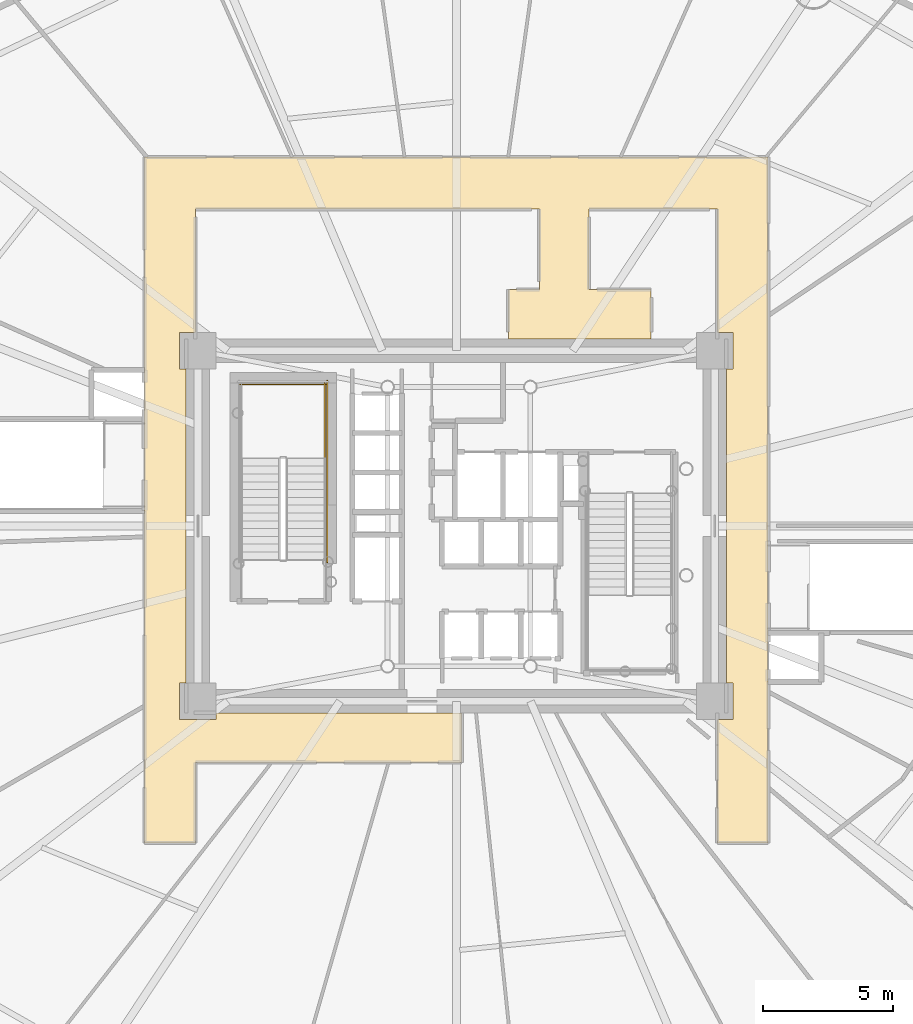
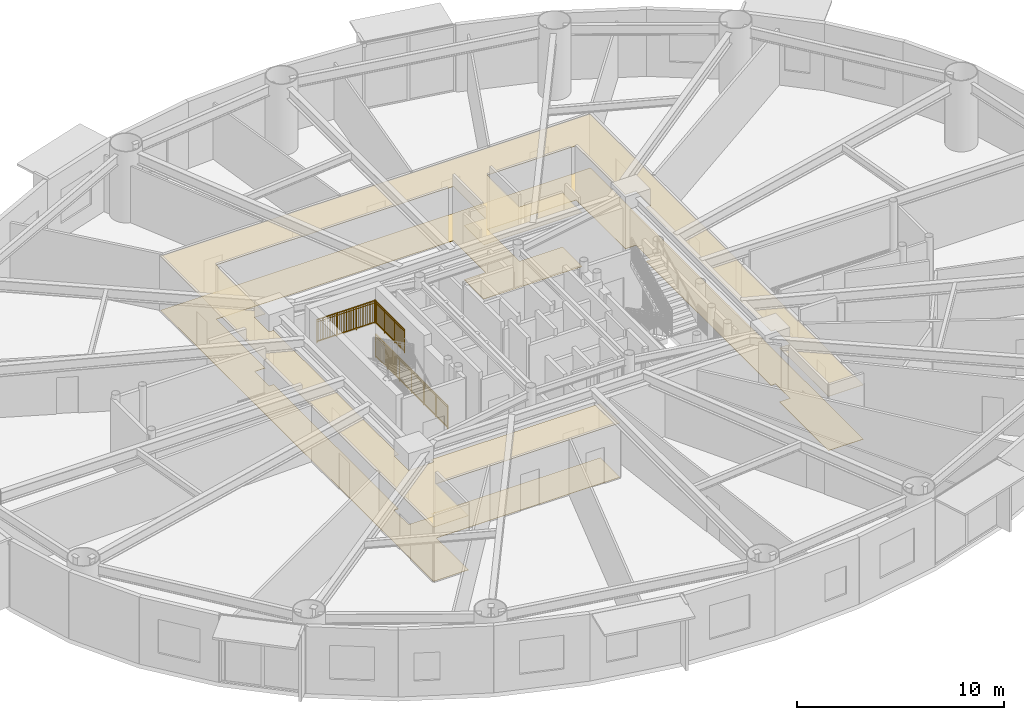
# One storey, part 24 of 28: 3 railings, 2 coverings.
"""IFC4 building model written with IfcOpenShell, lengths in metres."""

from ifc_helpers import new_model, si_unit, direction, frame, origin, origin_2d, place, context, subcontext, project, spatial, polyline, rectangle, outline, extrude, source, transform, mapped, material, layer, layer_set, type_object, element, save


model = new_model("IFC4")

# Units and contexts
model_context = context("Model", 3, precision=1e-05, world=origin(), true_north=direction((0.0, 1.0)))
body_context = subcontext(model_context, "Body", "Model", "MODEL_VIEW")
ifc_project = project(units=[si_unit("LENGTHUNIT", "METRE"), si_unit("AREAUNIT", "SQUARE_METRE"), si_unit("VOLUMEUNIT", "CUBIC_METRE"), si_unit("PLANEANGLEUNIT", "RADIAN"), si_unit("MASSUNIT", "GRAM", prefix="KILO")], contexts=[model_context])

# Site, building, storey
site_placement = place(None, origin())
site = spatial("IfcSite", under=ifc_project, at=site_placement, CompositionType="ELEMENT")
building_placement = place(site_placement, origin())
building = spatial("IfcBuilding", under=site, at=building_placement, Name="Linh Dai School and Residence Tower", CompositionType="ELEMENT")
storey_placement = place(building_placement, frame((0.0, 0.0, 57.60009765625)))
storey = spatial("IfcBuildingStorey", under=building, at=storey_placement, Name="L13", CompositionType="ELEMENT", Elevation=57.60009765625)

# Coverings
ifc_material_1 = material(Name="Mineral Fibre Acoustic Suspended Ceiling", Category="masonry")
ifc_layer_1 = layer(ifc_material_1, 0.02001953125)
ifc_layer_set_1 = layer_set([ifc_layer_1], Name="Mineral Fibre Acoustic Suspended Ceiling")
covering_type_1 = type_object("IfcCoveringType", Name="COV-CEIL-AC-20", PredefinedType="CEILING", material=ifc_layer_set_1)
covering_1_placement = place(storey_placement, frame((0.0, 0.0, 3.199951171875)))
element("IfcCovering", 1, at=covering_1_placement, inside=storey, type_object=covering_type_1, Name="L13 School Circulation Ring Corridor Suspended Ceiling", PredefinedType="CEILING", context=body_context, shape_type="SweptSolid", body=[
    extrude(outline(polyline([(24.0, 41.199951171875), (48.0, 41.199951171875), (48.0, 14.800048828125), (46.050048828125, 14.800048828125), (46.050048828125, 19.550048828125), (46.64990234375, 19.550048828125), (46.64990234375, 20.949951171875), (46.39990234375, 20.949951171875), (46.39990234375, 33.050048828125), (46.64990234375, 33.050048828125), (46.64990234375, 34.449951171875), (46.050048828125, 34.449951171875), (46.050048828125, 39.199951171875), (41.10009765625, 39.199951171875), (41.10009765625, 36.10009765625), (43.5, 36.10009765625), (43.5, 34.199951171875), (38.0, 34.199951171875), (38.0, 36.10009765625), (39.199951171875, 36.10009765625), (39.199951171875, 39.199951171875), (25.949951171875, 39.199951171875), (25.949951171875, 34.449951171875), (25.35009765625, 34.449951171875), (25.35009765625, 33.050048828125), (25.60009765625, 33.050048828125), (25.60009765625, 20.949951171875), (25.35009765625, 20.949951171875), (25.35009765625, 19.550048828125), (26.75, 19.550048828125), (26.75, 19.800048828125), (36.199951171875, 19.800048828125), (36.199951171875, 17.89990234375), (25.949951171875, 17.89990234375), (25.949951171875, 14.800048828125), (24.0, 14.800048828125), (24.0, 41.199951171875)])), origin(), (0.0, 0.0, 1.0), 0.02001953125),
])
ifc_material_2 = material(Name="Polished Terrazzo Floor Finish", Category="masonry")
ifc_layer_2 = layer(ifc_material_2, 0.02490234375)
ifc_layer_set_2 = layer_set([ifc_layer_2], Name="Polished Terrazzo Floor Finish")
covering_type_2 = type_object("IfcCoveringType", Name="COV-FLR-TRZ-25", PredefinedType="FLOORING", material=ifc_layer_set_2)
covering_2_placement = place(storey_placement, origin())
element("IfcCovering", 2, at=covering_2_placement, inside=storey, type_object=covering_type_2, Name="L13 School Circulation Ring Corridor Floor Finish", PredefinedType="FLOORING", context=body_context, shape_type="SweptSolid", body=[
    extrude(outline(polyline([(24.0, 41.199951171875), (48.0, 41.199951171875), (48.0, 14.800048828125), (46.050048828125, 14.800048828125), (46.050048828125, 19.550048828125), (46.64990234375, 19.550048828125), (46.64990234375, 20.949951171875), (46.39990234375, 20.949951171875), (46.39990234375, 33.050048828125), (46.64990234375, 33.050048828125), (46.64990234375, 34.449951171875), (46.050048828125, 34.449951171875), (46.050048828125, 39.199951171875), (41.10009765625, 39.199951171875), (41.10009765625, 36.10009765625), (43.5, 36.10009765625), (43.5, 34.199951171875), (38.0, 34.199951171875), (38.0, 36.10009765625), (39.199951171875, 36.10009765625), (39.199951171875, 39.199951171875), (25.949951171875, 39.199951171875), (25.949951171875, 34.449951171875), (25.35009765625, 34.449951171875), (25.35009765625, 33.050048828125), (25.60009765625, 33.050048828125), (25.60009765625, 20.949951171875), (25.35009765625, 20.949951171875), (25.35009765625, 19.550048828125), (26.75, 19.550048828125), (26.75, 19.800048828125), (36.199951171875, 19.800048828125), (36.199951171875, 17.89990234375), (25.949951171875, 17.89990234375), (25.949951171875, 14.800048828125), (24.0, 14.800048828125), (24.0, 41.199951171875)])), origin(), (0.0, 0.0, 1.0), 0.02001953125),
])

# Railings
ifc_material_3 = material(Name="Structural Steel S355JR", Category="steel")
railing_type = type_object("IfcRailingType", Name="RL-ST-GUARD-1400", PredefinedType="GUARDRAIL", material=ifc_material_3)
shared_shape_1 = source(origin(), body_context, "Body", "SweptSolid", [
    extrude(rectangle(XDim=0.048095703125, YDim=0.048095703125, at=origin_2d()), frame((0.0, 0.0, 1.3759765625), z_axis=(-1.0, 0.0, 0.0), x_axis=(0.0, -1.0, 0.0)), (0.0, 0.0, 1.0), 3.300048828125),
    extrude(rectangle(XDim=0.048095703125, YDim=0.048095703125, at=origin_2d()), frame((0.0, 0.0, 0.10009765625), z_axis=(-1.0, 0.0, 0.0), x_axis=(0.0, -1.0, 0.0)), (0.0, 0.0, 1.0), 3.300048828125),
    extrude(rectangle(XDim=0.030029296875, YDim=0.030029296875, at=origin_2d()), frame((0.0, 0.0, 1.239990234375), z_axis=(-1.0, 0.0, 0.0), x_axis=(0.0, -1.0, 0.0)), (0.0, 0.0, 1.0), 3.300048828125),
    extrude(rectangle(XDim=0.02001953125, YDim=0.02001953125, at=origin_2d()), frame((-0.09716796875, 0.0, 0.10009765625)), (0.0, 0.0, 1.0), 1.251708984375),
    extrude(rectangle(XDim=0.02001953125, YDim=0.02001953125, at=origin_2d()), frame((-0.194091796875, 0.0, 0.10009765625)), (0.0, 0.0, 1.0), 1.251708984375),
    extrude(rectangle(XDim=0.02001953125, YDim=0.02001953125, at=origin_2d()), frame((-0.291259765625, 0.0, 0.10009765625)), (0.0, 0.0, 1.0), 1.251708984375),
    extrude(rectangle(XDim=0.02001953125, YDim=0.02001953125, at=origin_2d()), frame((-0.38818359375, 0.0, 0.10009765625)), (0.0, 0.0, 1.0), 1.251708984375),
    extrude(rectangle(XDim=0.02001953125, YDim=0.02001953125, at=origin_2d()), frame((-0.4853515625, 0.0, 0.10009765625)), (0.0, 0.0, 1.0), 1.251708984375),
    extrude(rectangle(XDim=0.02001953125, YDim=0.02001953125, at=origin_2d()), frame((-0.582275390625, 0.0, 0.10009765625)), (0.0, 0.0, 1.0), 1.251708984375),
    extrude(rectangle(XDim=0.02001953125, YDim=0.02001953125, at=origin_2d()), frame((-0.679443359375, 0.0, 0.10009765625)), (0.0, 0.0, 1.0), 1.251708984375),
    extrude(rectangle(XDim=0.02001953125, YDim=0.02001953125, at=origin_2d()), frame((-0.7763671875, 0.0, 0.10009765625)), (0.0, 0.0, 1.0), 1.251708984375),
    extrude(rectangle(XDim=0.02001953125, YDim=0.02001953125, at=origin_2d()), frame((-0.87353515625, 0.0, 0.10009765625)), (0.0, 0.0, 1.0), 1.251708984375),
    extrude(rectangle(XDim=0.02001953125, YDim=0.02001953125, at=origin_2d()), frame((-0.970703125, 0.0, 0.10009765625)), (0.0, 0.0, 1.0), 1.251708984375),
    extrude(rectangle(XDim=0.02001953125, YDim=0.02001953125, at=origin_2d()), frame((-1.164794921875, 0.0, 0.10009765625)), (0.0, 0.0, 1.0), 1.251708984375),
    extrude(rectangle(XDim=0.02001953125, YDim=0.02001953125, at=origin_2d()), frame((-1.26171875, 0.0, 0.10009765625)), (0.0, 0.0, 1.0), 1.251708984375),
    extrude(rectangle(XDim=0.02001953125, YDim=0.02001953125, at=origin_2d()), frame((-1.35888671875, 0.0, 0.10009765625)), (0.0, 0.0, 1.0), 1.251708984375),
    extrude(rectangle(XDim=0.02001953125, YDim=0.02001953125, at=origin_2d()), frame((-1.455810546875, 0.0, 0.10009765625)), (0.0, 0.0, 1.0), 1.251708984375),
    extrude(rectangle(XDim=0.02001953125, YDim=0.02001953125, at=origin_2d()), frame((-1.552978515625, 0.0, 0.10009765625)), (0.0, 0.0, 1.0), 1.251708984375),
    extrude(rectangle(XDim=0.02001953125, YDim=0.02001953125, at=origin_2d()), frame((-1.64990234375, 0.0, 0.10009765625)), (0.0, 0.0, 1.0), 1.251708984375),
    extrude(rectangle(XDim=0.02001953125, YDim=0.02001953125, at=origin_2d()), frame((-1.7470703125, 0.0, 0.10009765625)), (0.0, 0.0, 1.0), 1.251708984375),
    extrude(rectangle(XDim=0.02001953125, YDim=0.02001953125, at=origin_2d()), frame((-1.84423828125, 0.0, 0.10009765625)), (0.0, 0.0, 1.0), 1.251708984375),
    extrude(rectangle(XDim=0.02001953125, YDim=0.02001953125, at=origin_2d()), frame((-1.941162109375, 0.0, 0.10009765625)), (0.0, 0.0, 1.0), 1.251708984375),
    extrude(rectangle(XDim=0.02001953125, YDim=0.02001953125, at=origin_2d()), frame((-2.038330078125, 0.0, 0.10009765625)), (0.0, 0.0, 1.0), 1.251708984375),
    extrude(rectangle(XDim=0.02001953125, YDim=0.02001953125, at=origin_2d()), frame((-2.13525390625, 0.0, 0.10009765625)), (0.0, 0.0, 1.0), 1.251708984375),
    extrude(rectangle(XDim=0.02001953125, YDim=0.02001953125, at=origin_2d()), frame((-2.329345703125, 0.0, 0.10009765625)), (0.0, 0.0, 1.0), 1.251708984375),
    extrude(rectangle(XDim=0.02001953125, YDim=0.02001953125, at=origin_2d()), frame((-2.426513671875, 0.0, 0.10009765625)), (0.0, 0.0, 1.0), 1.251708984375),
    extrude(rectangle(XDim=0.02001953125, YDim=0.02001953125, at=origin_2d()), frame((-2.523681640625, 0.0, 0.10009765625)), (0.0, 0.0, 1.0), 1.251708984375),
    extrude(rectangle(XDim=0.02001953125, YDim=0.02001953125, at=origin_2d()), frame((-2.62060546875, 0.0, 0.10009765625)), (0.0, 0.0, 1.0), 1.251708984375),
    extrude(rectangle(XDim=0.02001953125, YDim=0.02001953125, at=origin_2d()), frame((-2.7177734375, 0.0, 0.10009765625)), (0.0, 0.0, 1.0), 1.251708984375),
    extrude(rectangle(XDim=0.02001953125, YDim=0.02001953125, at=origin_2d()), frame((-2.814697265625, 0.0, 0.10009765625)), (0.0, 0.0, 1.0), 1.251708984375),
    extrude(rectangle(XDim=0.02001953125, YDim=0.02001953125, at=origin_2d()), frame((-2.911865234375, 0.0, 0.10009765625)), (0.0, 0.0, 1.0), 1.251708984375),
    extrude(rectangle(XDim=0.02001953125, YDim=0.02001953125, at=origin_2d()), frame((-3.0087890625, 0.0, 0.10009765625)), (0.0, 0.0, 1.0), 1.251708984375),
    extrude(rectangle(XDim=0.02001953125, YDim=0.02001953125, at=origin_2d()), frame((-3.10595703125, 0.0, 0.10009765625)), (0.0, 0.0, 1.0), 1.251708984375),
    extrude(rectangle(XDim=0.02001953125, YDim=0.02001953125, at=origin_2d()), frame((-3.202880859375, 0.0, 0.10009765625)), (0.0, 0.0, 1.0), 1.251708984375),
    extrude(rectangle(XDim=0.0419921875, YDim=0.0419921875, at=origin_2d()), origin(), (0.0, 0.0, 1.0), 1.3759765625),
    extrude(rectangle(XDim=0.0419921875, YDim=0.0419921875, at=origin_2d()), frame((-1.10009765625, 0.0, 0.0)), (0.0, 0.0, 1.0), 1.3759765625),
    extrude(rectangle(XDim=0.0419921875, YDim=0.0419921875, at=origin_2d()), frame((-2.199951171875, 0.0, 0.0)), (0.0, 0.0, 1.0), 1.3759765625),
    extrude(rectangle(XDim=0.0419921875, YDim=0.0419921875, at=origin_2d()), frame((-3.300048828125, 0.0, 0.0)), (0.0, 0.0, 1.0), 1.3759765625),
])
railing_1_placement = place(storey_placement, frame((30.97998046875, 32.449951171875, 2.099853515625)))
element("IfcRailing", 3, at=railing_1_placement, inside=storey, type_object=railing_type, Name="L13 ST1 stair guard 5", PredefinedType="GUARDRAIL", context=body_context, shape_type="MappedRepresentation", body=[
    mapped(shared_shape_1, transform((0.0, 0.0, 0.0), x_axis=(1.0, 0.0, 0.0), y_axis=(0.0, 1.0, 0.0), z_axis=(0.0, 0.0, 1.0), scale=1.0)),
])
shared_shape_2 = source(origin(), body_context, "Body", "SweptSolid", [
    extrude(rectangle(XDim=0.048095703125, YDim=0.048095703125, at=origin_2d()), frame((0.0, 0.0, 1.3759765625), z_axis=(0.0, 1.0, 0.0), x_axis=(-1.0, 0.0, 0.0)), (0.0, 0.0, 1.0), 7.0),
    extrude(rectangle(XDim=0.048095703125, YDim=0.048095703125, at=origin_2d()), frame((0.0, 0.0, 0.10009765625), z_axis=(0.0, 1.0, 0.0), x_axis=(-1.0, 0.0, 0.0)), (0.0, 0.0, 1.0), 7.0),
    extrude(rectangle(XDim=0.030029296875, YDim=0.030029296875, at=origin_2d()), frame((0.0, 0.0, 1.239990234375), z_axis=(0.0, 1.0, 0.0), x_axis=(-1.0, 0.0, 0.0)), (0.0, 0.0, 1.0), 7.0),
    extrude(rectangle(XDim=0.02001953125, YDim=0.02001953125, at=origin_2d()), frame((0.0, 0.09716796875, 0.10009765625)), (0.0, 0.0, 1.0), 1.251708984375),
    extrude(rectangle(XDim=0.02001953125, YDim=0.02001953125, at=origin_2d()), frame((0.0, 0.1943359375, 0.10009765625)), (0.0, 0.0, 1.0), 1.251708984375),
    extrude(rectangle(XDim=0.02001953125, YDim=0.02001953125, at=origin_2d()), frame((0.0, 0.291748046875, 0.10009765625)), (0.0, 0.0, 1.0), 1.251708984375),
    extrude(rectangle(XDim=0.02001953125, YDim=0.02001953125, at=origin_2d()), frame((0.0, 0.388916015625, 0.10009765625)), (0.0, 0.0, 1.0), 1.251708984375),
    extrude(rectangle(XDim=0.02001953125, YDim=0.02001953125, at=origin_2d()), frame((0.0, 0.486083984375, 0.10009765625)), (0.0, 0.0, 1.0), 1.251708984375),
    extrude(rectangle(XDim=0.02001953125, YDim=0.02001953125, at=origin_2d()), frame((0.0, 0.583251953125, 0.10009765625)), (0.0, 0.0, 1.0), 1.251708984375),
    extrude(rectangle(XDim=0.02001953125, YDim=0.02001953125, at=origin_2d()), frame((0.0, 0.6806640625, 0.10009765625)), (0.0, 0.0, 1.0), 1.251708984375),
    extrude(rectangle(XDim=0.02001953125, YDim=0.02001953125, at=origin_2d()), frame((0.0, 0.77783203125, 0.10009765625)), (0.0, 0.0, 1.0), 1.251708984375),
    extrude(rectangle(XDim=0.02001953125, YDim=0.02001953125, at=origin_2d()), frame((0.0, 0.875, 0.10009765625)), (0.0, 0.0, 1.0), 1.251708984375),
    extrude(rectangle(XDim=0.02001953125, YDim=0.02001953125, at=origin_2d()), frame((0.0, 0.97216796875, 0.10009765625)), (0.0, 0.0, 1.0), 1.251708984375),
    extrude(rectangle(XDim=0.02001953125, YDim=0.02001953125, at=origin_2d()), frame((0.0, 1.0693359375, 0.10009765625)), (0.0, 0.0, 1.0), 1.251708984375),
    extrude(rectangle(XDim=0.02001953125, YDim=0.02001953125, at=origin_2d()), frame((0.0, 1.263916015625, 0.10009765625)), (0.0, 0.0, 1.0), 1.251708984375),
    extrude(rectangle(XDim=0.02001953125, YDim=0.02001953125, at=origin_2d()), frame((0.0, 1.361083984375, 0.10009765625)), (0.0, 0.0, 1.0), 1.251708984375),
    extrude(rectangle(XDim=0.02001953125, YDim=0.02001953125, at=origin_2d()), frame((0.0, 1.458251953125, 0.10009765625)), (0.0, 0.0, 1.0), 1.251708984375),
    extrude(rectangle(XDim=0.02001953125, YDim=0.02001953125, at=origin_2d()), frame((0.0, 1.5556640625, 0.10009765625)), (0.0, 0.0, 1.0), 1.251708984375),
    extrude(rectangle(XDim=0.02001953125, YDim=0.02001953125, at=origin_2d()), frame((0.0, 1.65283203125, 0.10009765625)), (0.0, 0.0, 1.0), 1.251708984375),
    extrude(rectangle(XDim=0.02001953125, YDim=0.02001953125, at=origin_2d()), frame((0.0, 1.75, 0.10009765625)), (0.0, 0.0, 1.0), 1.251708984375),
    extrude(rectangle(XDim=0.02001953125, YDim=0.02001953125, at=origin_2d()), frame((0.0, 1.84716796875, 0.10009765625)), (0.0, 0.0, 1.0), 1.251708984375),
    extrude(rectangle(XDim=0.02001953125, YDim=0.02001953125, at=origin_2d()), frame((0.0, 1.9443359375, 0.10009765625)), (0.0, 0.0, 1.0), 1.251708984375),
    extrude(rectangle(XDim=0.02001953125, YDim=0.02001953125, at=origin_2d()), frame((0.0, 2.041748046875, 0.10009765625)), (0.0, 0.0, 1.0), 1.251708984375),
    extrude(rectangle(XDim=0.02001953125, YDim=0.02001953125, at=origin_2d()), frame((0.0, 2.138916015625, 0.10009765625)), (0.0, 0.0, 1.0), 1.251708984375),
    extrude(rectangle(XDim=0.02001953125, YDim=0.02001953125, at=origin_2d()), frame((0.0, 2.236083984375, 0.10009765625)), (0.0, 0.0, 1.0), 1.251708984375),
    extrude(rectangle(XDim=0.02001953125, YDim=0.02001953125, at=origin_2d()), frame((0.0, 2.4306640625, 0.10009765625)), (0.0, 0.0, 1.0), 1.251708984375),
    extrude(rectangle(XDim=0.02001953125, YDim=0.02001953125, at=origin_2d()), frame((0.0, 2.52783203125, 0.10009765625)), (0.0, 0.0, 1.0), 1.251708984375),
    extrude(rectangle(XDim=0.02001953125, YDim=0.02001953125, at=origin_2d()), frame((0.0, 2.625, 0.10009765625)), (0.0, 0.0, 1.0), 1.251708984375),
    extrude(rectangle(XDim=0.02001953125, YDim=0.02001953125, at=origin_2d()), frame((0.0, 2.72216796875, 0.10009765625)), (0.0, 0.0, 1.0), 1.251708984375),
    extrude(rectangle(XDim=0.02001953125, YDim=0.02001953125, at=origin_2d()), frame((0.0, 2.8193359375, 0.10009765625)), (0.0, 0.0, 1.0), 1.251708984375),
    extrude(rectangle(XDim=0.02001953125, YDim=0.02001953125, at=origin_2d()), frame((0.0, 2.916748046875, 0.10009765625)), (0.0, 0.0, 1.0), 1.251708984375),
    extrude(rectangle(XDim=0.02001953125, YDim=0.02001953125, at=origin_2d()), frame((0.0, 3.013916015625, 0.10009765625)), (0.0, 0.0, 1.0), 1.251708984375),
    extrude(rectangle(XDim=0.02001953125, YDim=0.02001953125, at=origin_2d()), frame((0.0, 3.111083984375, 0.10009765625)), (0.0, 0.0, 1.0), 1.251708984375),
    extrude(rectangle(XDim=0.02001953125, YDim=0.02001953125, at=origin_2d()), frame((0.0, 3.208251953125, 0.10009765625)), (0.0, 0.0, 1.0), 1.251708984375),
    extrude(rectangle(XDim=0.02001953125, YDim=0.02001953125, at=origin_2d()), frame((0.0, 3.3056640625, 0.10009765625)), (0.0, 0.0, 1.0), 1.251708984375),
    extrude(rectangle(XDim=0.02001953125, YDim=0.02001953125, at=origin_2d()), frame((0.0, 3.40283203125, 0.10009765625)), (0.0, 0.0, 1.0), 1.251708984375),
    extrude(rectangle(XDim=0.02001953125, YDim=0.02001953125, at=origin_2d()), frame((0.0, 3.59716796875, 0.10009765625)), (0.0, 0.0, 1.0), 1.251708984375),
    extrude(rectangle(XDim=0.02001953125, YDim=0.02001953125, at=origin_2d()), frame((0.0, 3.6943359375, 0.10009765625)), (0.0, 0.0, 1.0), 1.251708984375),
    extrude(rectangle(XDim=0.02001953125, YDim=0.02001953125, at=origin_2d()), frame((0.0, 3.791748046875, 0.10009765625)), (0.0, 0.0, 1.0), 1.251708984375),
    extrude(rectangle(XDim=0.02001953125, YDim=0.02001953125, at=origin_2d()), frame((0.0, 3.888916015625, 0.10009765625)), (0.0, 0.0, 1.0), 1.251708984375),
    extrude(rectangle(XDim=0.02001953125, YDim=0.02001953125, at=origin_2d()), frame((0.0, 3.986083984375, 0.10009765625)), (0.0, 0.0, 1.0), 1.251708984375),
    extrude(rectangle(XDim=0.02001953125, YDim=0.02001953125, at=origin_2d()), frame((0.0, 4.083251953125, 0.10009765625)), (0.0, 0.0, 1.0), 1.251708984375),
    extrude(rectangle(XDim=0.02001953125, YDim=0.02001953125, at=origin_2d()), frame((0.0, 4.1806640625, 0.10009765625)), (0.0, 0.0, 1.0), 1.251708984375),
    extrude(rectangle(XDim=0.02001953125, YDim=0.02001953125, at=origin_2d()), frame((0.0, 4.27783203125, 0.10009765625)), (0.0, 0.0, 1.0), 1.251708984375),
    extrude(rectangle(XDim=0.02001953125, YDim=0.02001953125, at=origin_2d()), frame((0.0, 4.375, 0.10009765625)), (0.0, 0.0, 1.0), 1.251708984375),
    extrude(rectangle(XDim=0.02001953125, YDim=0.02001953125, at=origin_2d()), frame((0.0, 4.47216796875, 0.10009765625)), (0.0, 0.0, 1.0), 1.251708984375),
    extrude(rectangle(XDim=0.02001953125, YDim=0.02001953125, at=origin_2d()), frame((0.0, 4.5693359375, 0.10009765625)), (0.0, 0.0, 1.0), 1.251708984375),
    extrude(rectangle(XDim=0.02001953125, YDim=0.02001953125, at=origin_2d()), frame((0.0, 4.763916015625, 0.10009765625)), (0.0, 0.0, 1.0), 1.251708984375),
    extrude(rectangle(XDim=0.02001953125, YDim=0.02001953125, at=origin_2d()), frame((0.0, 4.861083984375, 0.10009765625)), (0.0, 0.0, 1.0), 1.251708984375),
    extrude(rectangle(XDim=0.02001953125, YDim=0.02001953125, at=origin_2d()), frame((0.0, 4.958251953125, 0.10009765625)), (0.0, 0.0, 1.0), 1.251708984375),
    extrude(rectangle(XDim=0.02001953125, YDim=0.02001953125, at=origin_2d()), frame((0.0, 5.0556640625, 0.10009765625)), (0.0, 0.0, 1.0), 1.251708984375),
    extrude(rectangle(XDim=0.02001953125, YDim=0.02001953125, at=origin_2d()), frame((0.0, 5.15283203125, 0.10009765625)), (0.0, 0.0, 1.0), 1.251708984375),
    extrude(rectangle(XDim=0.02001953125, YDim=0.02001953125, at=origin_2d()), frame((0.0, 5.25, 0.10009765625)), (0.0, 0.0, 1.0), 1.251708984375),
    extrude(rectangle(XDim=0.02001953125, YDim=0.02001953125, at=origin_2d()), frame((0.0, 5.34716796875, 0.10009765625)), (0.0, 0.0, 1.0), 1.251708984375),
    extrude(rectangle(XDim=0.02001953125, YDim=0.02001953125, at=origin_2d()), frame((0.0, 5.4443359375, 0.10009765625)), (0.0, 0.0, 1.0), 1.251708984375),
    extrude(rectangle(XDim=0.02001953125, YDim=0.02001953125, at=origin_2d()), frame((0.0, 5.541748046875, 0.10009765625)), (0.0, 0.0, 1.0), 1.251708984375),
    extrude(rectangle(XDim=0.02001953125, YDim=0.02001953125, at=origin_2d()), frame((0.0, 5.638916015625, 0.10009765625)), (0.0, 0.0, 1.0), 1.251708984375),
    extrude(rectangle(XDim=0.02001953125, YDim=0.02001953125, at=origin_2d()), frame((0.0, 5.736083984375, 0.10009765625)), (0.0, 0.0, 1.0), 1.251708984375),
    extrude(rectangle(XDim=0.02001953125, YDim=0.02001953125, at=origin_2d()), frame((0.0, 5.9306640625, 0.10009765625)), (0.0, 0.0, 1.0), 1.251708984375),
    extrude(rectangle(XDim=0.02001953125, YDim=0.02001953125, at=origin_2d()), frame((0.0, 6.02783203125, 0.10009765625)), (0.0, 0.0, 1.0), 1.251708984375),
    extrude(rectangle(XDim=0.02001953125, YDim=0.02001953125, at=origin_2d()), frame((0.0, 6.125, 0.10009765625)), (0.0, 0.0, 1.0), 1.251708984375),
    extrude(rectangle(XDim=0.02001953125, YDim=0.02001953125, at=origin_2d()), frame((0.0, 6.22216796875, 0.10009765625)), (0.0, 0.0, 1.0), 1.251708984375),
    extrude(rectangle(XDim=0.02001953125, YDim=0.02001953125, at=origin_2d()), frame((0.0, 6.3193359375, 0.10009765625)), (0.0, 0.0, 1.0), 1.251708984375),
    extrude(rectangle(XDim=0.02001953125, YDim=0.02001953125, at=origin_2d()), frame((0.0, 6.416748046875, 0.10009765625)), (0.0, 0.0, 1.0), 1.251708984375),
    extrude(rectangle(XDim=0.02001953125, YDim=0.02001953125, at=origin_2d()), frame((0.0, 6.513916015625, 0.10009765625)), (0.0, 0.0, 1.0), 1.251708984375),
    extrude(rectangle(XDim=0.02001953125, YDim=0.02001953125, at=origin_2d()), frame((0.0, 6.611083984375, 0.10009765625)), (0.0, 0.0, 1.0), 1.251708984375),
    extrude(rectangle(XDim=0.02001953125, YDim=0.02001953125, at=origin_2d()), frame((0.0, 6.708251953125, 0.10009765625)), (0.0, 0.0, 1.0), 1.251708984375),
    extrude(rectangle(XDim=0.02001953125, YDim=0.02001953125, at=origin_2d()), frame((0.0, 6.8056640625, 0.10009765625)), (0.0, 0.0, 1.0), 1.251708984375),
    extrude(rectangle(XDim=0.02001953125, YDim=0.02001953125, at=origin_2d()), frame((0.0, 6.90283203125, 0.10009765625)), (0.0, 0.0, 1.0), 1.251708984375),
    extrude(rectangle(XDim=0.0419921875, YDim=0.0419921875, at=origin_2d()), origin(), (0.0, 0.0, 1.0), 1.3759765625),
    extrude(rectangle(XDim=0.0419921875, YDim=0.0419921875, at=origin_2d()), frame((0.0, 1.166748046875, 0.0)), (0.0, 0.0, 1.0), 1.3759765625),
    extrude(rectangle(XDim=0.0419921875, YDim=0.0419921875, at=origin_2d()), frame((0.0, 2.333251953125, 0.0)), (0.0, 0.0, 1.0), 1.3759765625),
    extrude(rectangle(XDim=0.0419921875, YDim=0.0419921875, at=origin_2d()), frame((0.0, 3.5, 0.0)), (0.0, 0.0, 1.0), 1.3759765625),
    extrude(rectangle(XDim=0.0419921875, YDim=0.0419921875, at=origin_2d()), frame((0.0, 4.666748046875, 0.0)), (0.0, 0.0, 1.0), 1.3759765625),
    extrude(rectangle(XDim=0.0419921875, YDim=0.0419921875, at=origin_2d()), frame((0.0, 5.833251953125, 0.0)), (0.0, 0.0, 1.0), 1.3759765625),
    extrude(rectangle(XDim=0.0419921875, YDim=0.0419921875, at=origin_2d()), frame((0.0, 7.0, 0.0)), (0.0, 0.0, 1.0), 1.3759765625),
])
railing_2_placement = place(storey_placement, frame((31.030029296875, 25.60009765625, 0.0)))
element("IfcRailing", 4, at=railing_2_placement, inside=storey, type_object=railing_type, Name="L13 ST1 stair guard 10", PredefinedType="GUARDRAIL", context=body_context, shape_type="MappedRepresentation", body=[
    mapped(shared_shape_2, transform((0.0, 0.0, 0.0), x_axis=(1.0, 0.0, 0.0), y_axis=(0.0, 1.0, 0.0), z_axis=(0.0, 0.0, 1.0), scale=1.0)),
])
shared_shape_3 = source(origin(), body_context, "Body", "SweptSolid", [
    extrude(rectangle(XDim=0.048095703125, YDim=0.048095703125, at=origin_2d()), frame((0.0, 0.0, 1.3759765625), z_axis=(0.0, 1.0, 0.0), x_axis=(-1.0, 0.0, 0.0)), (0.0, 0.0, 1.0), 2.89990234375),
    extrude(rectangle(XDim=0.048095703125, YDim=0.048095703125, at=origin_2d()), frame((0.0, 0.0, 0.10009765625), z_axis=(0.0, 1.0, 0.0), x_axis=(-1.0, 0.0, 0.0)), (0.0, 0.0, 1.0), 2.89990234375),
    extrude(rectangle(XDim=0.030029296875, YDim=0.030029296875, at=origin_2d()), frame((0.0, 0.0, 1.239990234375), z_axis=(0.0, 1.0, 0.0), x_axis=(-1.0, 0.0, 0.0)), (0.0, 0.0, 1.0), 2.89990234375),
    extrude(rectangle(XDim=0.02001953125, YDim=0.02001953125, at=origin_2d()), frame((0.0, 0.0966796875, 0.10009765625)), (0.0, 0.0, 1.0), 1.251708984375),
    extrude(rectangle(XDim=0.02001953125, YDim=0.02001953125, at=origin_2d()), frame((0.0, 0.193359375, 0.10009765625)), (0.0, 0.0, 1.0), 1.251708984375),
    extrude(rectangle(XDim=0.02001953125, YDim=0.02001953125, at=origin_2d()), frame((0.0, 0.2900390625, 0.10009765625)), (0.0, 0.0, 1.0), 1.251708984375),
    extrude(rectangle(XDim=0.02001953125, YDim=0.02001953125, at=origin_2d()), frame((0.0, 0.38671875, 0.10009765625)), (0.0, 0.0, 1.0), 1.251708984375),
    extrude(rectangle(XDim=0.02001953125, YDim=0.02001953125, at=origin_2d()), frame((0.0, 0.4833984375, 0.10009765625)), (0.0, 0.0, 1.0), 1.251708984375),
    extrude(rectangle(XDim=0.02001953125, YDim=0.02001953125, at=origin_2d()), frame((0.0, 0.580078125, 0.10009765625)), (0.0, 0.0, 1.0), 1.251708984375),
    extrude(rectangle(XDim=0.02001953125, YDim=0.02001953125, at=origin_2d()), frame((0.0, 0.6767578125, 0.10009765625)), (0.0, 0.0, 1.0), 1.251708984375),
    extrude(rectangle(XDim=0.02001953125, YDim=0.02001953125, at=origin_2d()), frame((0.0, 0.773193359375, 0.10009765625)), (0.0, 0.0, 1.0), 1.251708984375),
    extrude(rectangle(XDim=0.02001953125, YDim=0.02001953125, at=origin_2d()), frame((0.0, 0.869873046875, 0.10009765625)), (0.0, 0.0, 1.0), 1.251708984375),
    extrude(rectangle(XDim=0.02001953125, YDim=0.02001953125, at=origin_2d()), frame((0.0, 1.063232421875, 0.10009765625)), (0.0, 0.0, 1.0), 1.251708984375),
    extrude(rectangle(XDim=0.02001953125, YDim=0.02001953125, at=origin_2d()), frame((0.0, 1.159912109375, 0.10009765625)), (0.0, 0.0, 1.0), 1.251708984375),
    extrude(rectangle(XDim=0.02001953125, YDim=0.02001953125, at=origin_2d()), frame((0.0, 1.256591796875, 0.10009765625)), (0.0, 0.0, 1.0), 1.251708984375),
    extrude(rectangle(XDim=0.02001953125, YDim=0.02001953125, at=origin_2d()), frame((0.0, 1.353271484375, 0.10009765625)), (0.0, 0.0, 1.0), 1.251708984375),
    extrude(rectangle(XDim=0.02001953125, YDim=0.02001953125, at=origin_2d()), frame((0.0, 1.449951171875, 0.10009765625)), (0.0, 0.0, 1.0), 1.251708984375),
    extrude(rectangle(XDim=0.02001953125, YDim=0.02001953125, at=origin_2d()), frame((0.0, 1.546630859375, 0.10009765625)), (0.0, 0.0, 1.0), 1.251708984375),
    extrude(rectangle(XDim=0.02001953125, YDim=0.02001953125, at=origin_2d()), frame((0.0, 1.643310546875, 0.10009765625)), (0.0, 0.0, 1.0), 1.251708984375),
    extrude(rectangle(XDim=0.02001953125, YDim=0.02001953125, at=origin_2d()), frame((0.0, 1.739990234375, 0.10009765625)), (0.0, 0.0, 1.0), 1.251708984375),
    extrude(rectangle(XDim=0.02001953125, YDim=0.02001953125, at=origin_2d()), frame((0.0, 1.836669921875, 0.10009765625)), (0.0, 0.0, 1.0), 1.251708984375),
    extrude(rectangle(XDim=0.02001953125, YDim=0.02001953125, at=origin_2d()), frame((0.0, 2.030029296875, 0.10009765625)), (0.0, 0.0, 1.0), 1.251708984375),
    extrude(rectangle(XDim=0.02001953125, YDim=0.02001953125, at=origin_2d()), frame((0.0, 2.126708984375, 0.10009765625)), (0.0, 0.0, 1.0), 1.251708984375),
    extrude(rectangle(XDim=0.02001953125, YDim=0.02001953125, at=origin_2d()), frame((0.0, 2.22314453125, 0.10009765625)), (0.0, 0.0, 1.0), 1.251708984375),
    extrude(rectangle(XDim=0.02001953125, YDim=0.02001953125, at=origin_2d()), frame((0.0, 2.31982421875, 0.10009765625)), (0.0, 0.0, 1.0), 1.251708984375),
    extrude(rectangle(XDim=0.02001953125, YDim=0.02001953125, at=origin_2d()), frame((0.0, 2.41650390625, 0.10009765625)), (0.0, 0.0, 1.0), 1.251708984375),
    extrude(rectangle(XDim=0.02001953125, YDim=0.02001953125, at=origin_2d()), frame((0.0, 2.51318359375, 0.10009765625)), (0.0, 0.0, 1.0), 1.251708984375),
    extrude(rectangle(XDim=0.02001953125, YDim=0.02001953125, at=origin_2d()), frame((0.0, 2.60986328125, 0.10009765625)), (0.0, 0.0, 1.0), 1.251708984375),
    extrude(rectangle(XDim=0.02001953125, YDim=0.02001953125, at=origin_2d()), frame((0.0, 2.70654296875, 0.10009765625)), (0.0, 0.0, 1.0), 1.251708984375),
    extrude(rectangle(XDim=0.02001953125, YDim=0.02001953125, at=origin_2d()), frame((0.0, 2.80322265625, 0.10009765625)), (0.0, 0.0, 1.0), 1.251708984375),
    extrude(rectangle(XDim=0.0419921875, YDim=0.0419921875, at=origin_2d()), origin(), (0.0, 0.0, 1.0), 1.3759765625),
    extrude(rectangle(XDim=0.0419921875, YDim=0.0419921875, at=origin_2d()), frame((0.0, 0.966552734375, 0.0)), (0.0, 0.0, 1.0), 1.3759765625),
    extrude(rectangle(XDim=0.0419921875, YDim=0.0419921875, at=origin_2d()), frame((0.0, 1.933349609375, 0.0)), (0.0, 0.0, 1.0), 1.3759765625),
    extrude(rectangle(XDim=0.0419921875, YDim=0.0419921875, at=origin_2d()), frame((0.0, 2.89990234375, 0.0)), (0.0, 0.0, 1.0), 1.3759765625),
])
railing_3_placement = place(storey_placement, frame((30.929931640625, 29.60009765625, 2.099853515625)))
element("IfcRailing", 5, at=railing_3_placement, inside=storey, type_object=railing_type, Name="L13 ST1 stair guard 3", PredefinedType="GUARDRAIL", context=body_context, shape_type="MappedRepresentation", body=[
    mapped(shared_shape_3, transform((0.0, 0.0, 0.0), x_axis=(1.0, 0.0, 0.0), y_axis=(0.0, 1.0, 0.0), z_axis=(0.0, 0.0, 1.0), scale=1.0)),
])

save(model, "model.ifc")
